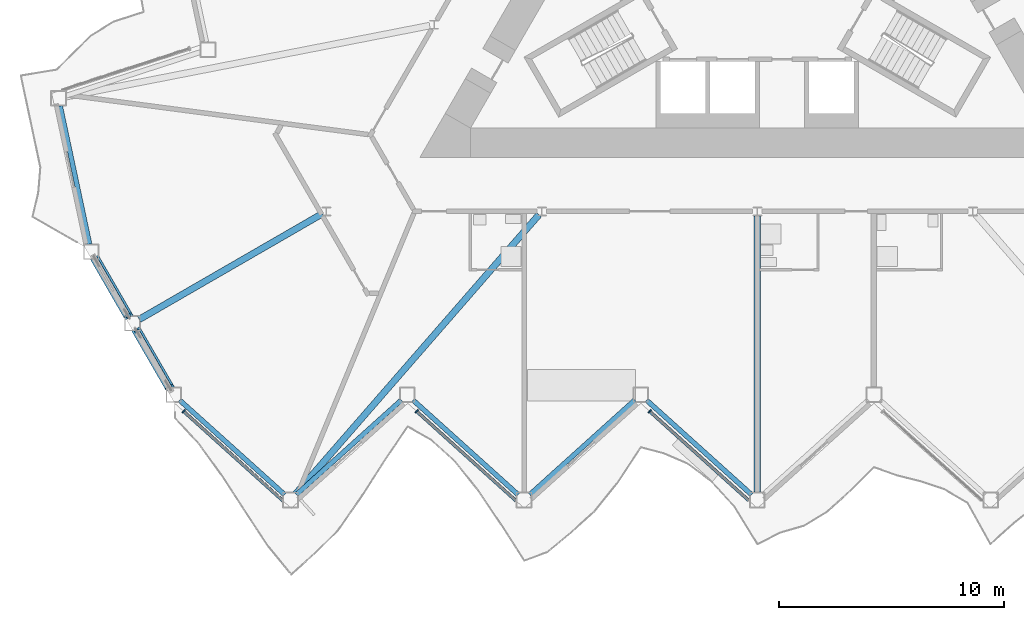
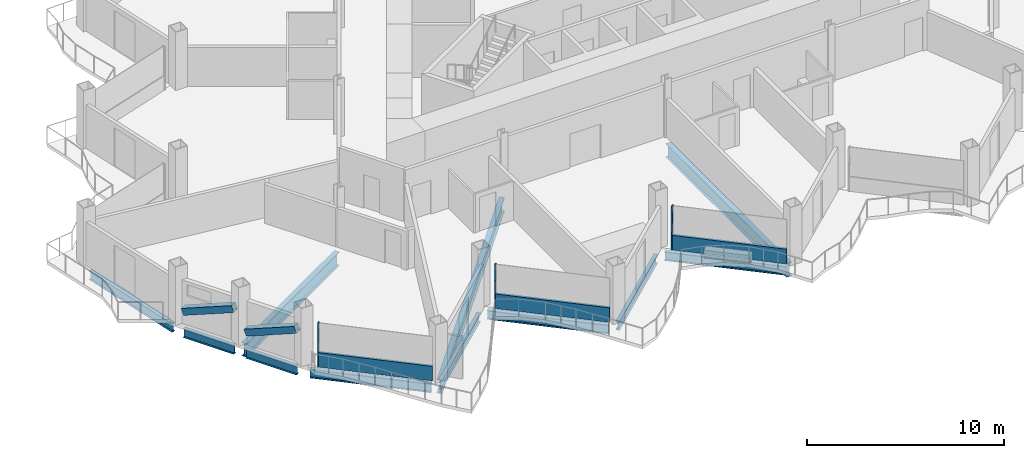
# One storey, part 4 of 23: 11 beams, 8 members, 3 elements without a shape of their own.
"""IFC4 building model written with IfcOpenShell, lengths in metres."""

from ifc_helpers import new_model, si_unit, direction, frame, origin, origin_2d, place, context, subcontext, project, spatial, rectangle, hollow_rectangle, i_section, extrude, material, layer, layer_set, material_profile, profile_set, type_object, element, aggregate, save


model = new_model("IFC4")

# Units and contexts
model_context = context("Model", 3, precision=1e-05, world=origin(), true_north=direction((0.0, 1.0)))
body_context = subcontext(model_context, "Body", "Model", "MODEL_VIEW")
ifc_project = project(units=[si_unit("LENGTHUNIT", "METRE"), si_unit("AREAUNIT", "SQUARE_METRE"), si_unit("VOLUMEUNIT", "CUBIC_METRE"), si_unit("PLANEANGLEUNIT", "RADIAN"), si_unit("MASSUNIT", "GRAM", prefix="KILO")], contexts=[model_context])

# Site, building, storey
site_placement = place(None, origin())
site = spatial("IfcSite", under=ifc_project, at=site_placement, CompositionType="ELEMENT")
building_placement = place(site_placement, origin())
building = spatial("IfcBuilding", under=site, at=building_placement, Name="Cormorant Prow Tower", CompositionType="ELEMENT")
storey_placement = place(building_placement, frame((0.0, 0.0, 256.199951171875)))
storey = spatial("IfcBuildingStorey", under=building, at=storey_placement, Name="L57", CompositionType="ELEMENT", Elevation=256.199951171875)

# Members
ifc_material_1 = material(Name="Structural steel ASTM A500 Gr C", Category="steel")
ifc_material_profile_1 = material_profile(ifc_material_1, hollow_rectangle(XDim=0.406494140625, YDim=0.406494140625, WallThickness=0.01171875, at=origin_2d()), Name="HSS16x16x1/2")
ifc_profile_set_1 = profile_set([ifc_material_profile_1], Name="Structural steel ASTM A500 Gr C")
member_type_1 = type_object("IfcMemberType", Name="Chamfer brace HSS16x16x1/2", PredefinedType="BRACE", material=ifc_profile_set_1)
for number, where, z_axis, x_axis, name in (
    (1, (-29.4287109375, -13.174560546875, 0.74951171875), (0.462773096913, -0.801606962687, 0.378506721399), (0.866041729639, 0.499971721724, 0.0), "Chamfer brace BR2 at WSW00 L57"),
    (2, (-27.593505859375, -16.353271484375, 0.74951171875), (0.462773096913, -0.801606962687, 0.378506721399), (0.866041729639, 0.499971721724, 0.0), "Chamfer brace BR2 at WSW01 L57"),
):
    element("IfcMember", number, at=place(storey_placement, frame(where, z_axis=z_axis, x_axis=x_axis)), inside=storey, type_object=member_type_1, Name=name, PredefinedType="BRACE", context=body_context, shape_type="SweptSolid", body=[
        extrude(hollow_rectangle(XDim=0.406494140625, YDim=0.406494140625, WallThickness=0.01171875, at=origin_2d()), origin(), (0.0, 0.0, 1.0), 3.17529296875),
    ])

# Curtain wall, member
ifc_material_2 = material(Name="Aluminium 6063-T6", Category="aluminium")
ifc_layer = layer(ifc_material_2, 0.179931640625)
ifc_layer_set = layer_set([ifc_layer], Name="Aluminium 6063-T6")
curtain_wall_type = type_object("IfcCurtainWallType", Name="Hotel unitised curtain wall 180", PredefinedType="NOTDEFINED", material=ifc_layer_set)
curtain_wall_1_placement = place(storey_placement, origin())
curtain_wall_1 = element("IfcCurtainWall", 3, at=curtain_wall_1_placement, inside=storey, type_object=curtain_wall_type, Name="Hotel curtain wall S00", PredefinedType="NOTDEFINED")
ifc_material_3 = material(Name="Aluminium 6063-T6", Category="aluminium")
ifc_material_profile_2 = material_profile(ifc_material_3, rectangle(XDim=0.179931640625, YDim=0.06005859375, at=origin_2d()), Name="Hotel mullion 60x180")
ifc_profile_set_2 = profile_set([ifc_material_profile_2], Name="Aluminium 6063-T6")
member_type_2 = type_object("IfcMemberType", Name="Hotel mullion 60x180", PredefinedType="MULLION", material=ifc_profile_set_2)
member_1_placement = place(storey_placement, frame((-25.5029296875, -19.94873046875, 0.0), z_axis=(0.0, 0.0, 1.0), x_axis=(0.669130602377, 0.743144829063, 0.0)))
member_1 = element("IfcMember", 4, at=member_1_placement, type_object=member_type_2, Name="Hotel mullion S00", PredefinedType="MULLION", context=body_context, shape_type="SweptSolid", body=[
    extrude(rectangle(XDim=0.179931640625, YDim=0.06005859375, at=origin_2d()), origin(), (0.0, 0.0, 1.0), 2.700927734375),
])

curtain_wall_2_placement = place(storey_placement, origin())
curtain_wall_2 = element("IfcCurtainWall", 5, at=curtain_wall_2_placement, inside=storey, type_object=curtain_wall_type, Name="Hotel curtain wall S02", PredefinedType="NOTDEFINED")
member_2_placement = place(storey_placement, frame((-15.143798828125, -19.94873046875, 0.0), z_axis=(0.0, 0.0, 1.0), x_axis=(0.669130602377, 0.743144829063, 0.0)))
member_2 = element("IfcMember", 6, at=member_2_placement, type_object=member_type_2, Name="Hotel mullion S02", PredefinedType="MULLION", context=body_context, shape_type="SweptSolid", body=[
    extrude(rectangle(XDim=0.179931640625, YDim=0.06005859375, at=origin_2d()), origin(), (0.0, 0.0, 1.0), 2.700927734375),
])

curtain_wall_3_placement = place(storey_placement, origin())
curtain_wall_3 = element("IfcCurtainWall", 7, at=curtain_wall_3_placement, inside=storey, type_object=curtain_wall_type, Name="Hotel curtain wall S04", PredefinedType="NOTDEFINED")
member_3_placement = place(storey_placement, frame((-4.784912109375, -19.94873046875, 0.0), z_axis=(0.0, 0.0, 1.0), x_axis=(0.669130602377, 0.743144829063, 0.0)))
member_3 = element("IfcMember", 8, at=member_3_placement, type_object=member_type_2, Name="Hotel mullion S04", PredefinedType="MULLION", context=body_context, shape_type="SweptSolid", body=[
    extrude(rectangle(XDim=0.179931640625, YDim=0.06005859375, at=origin_2d()), origin(), (0.0, 0.0, 1.0), 2.700927734375),
])

# Member
ifc_material_4 = material(Name="Terracotta", Category="masonry")
ifc_material_profile_3 = material_profile(ifc_material_4, rectangle(XDim=0.139892578125, YDim=0.89990234375, at=origin_2d()), Name="Hotel terracotta spandrel rail 140x900")
ifc_profile_set_3 = profile_set([ifc_material_profile_3], Name="Terracotta")
member_type_3 = type_object("IfcMemberType", Name="Hotel terracotta spandrel rail 140x900", PredefinedType="USERDEFINED", material=ifc_profile_set_3)
member_4_placement = place(storey_placement, frame((-25.480712890625, -19.968994140625, 0.449951171875), z_axis=(0.743164674775, -0.669108560823, 0.0), x_axis=(0.669108560823, 0.743164674775, 0.0)))
member_4 = element("IfcMember", 9, at=member_4_placement, type_object=member_type_3, Name="Hotel spandrel rail S00", ObjectType="TRANSOM", PredefinedType="USERDEFINED", context=body_context, shape_type="SweptSolid", body=[
    extrude(rectangle(XDim=0.139892578125, YDim=0.89990234375, at=origin_2d()), origin(), (0.0, 0.0, 1.0), 5.90771484375),
])

aggregate(curtain_wall_1, [member_1, member_4])

member_5_placement = place(storey_placement, frame((-15.12158203125, -19.968994140625, 0.449951171875), z_axis=(0.743146172033, -0.669129110854, 0.0), x_axis=(0.669129110854, 0.743146172033, 0.0)))
member_5 = element("IfcMember", 10, at=member_5_placement, type_object=member_type_3, Name="Hotel spandrel rail S02", ObjectType="TRANSOM", PredefinedType="USERDEFINED", context=body_context, shape_type="SweptSolid", body=[
    extrude(rectangle(XDim=0.139892578125, YDim=0.89990234375, at=origin_2d()), origin(), (0.0, 0.0, 1.0), 5.907470703125),
])

aggregate(curtain_wall_2, [member_2, member_5])

member_6_placement = place(storey_placement, frame((-4.7626953125, -19.968994140625, 0.449951171875), z_axis=(0.743164674775, -0.669108560823, 0.0), x_axis=(0.669108560823, 0.743164674775, 0.0)))
member_6 = element("IfcMember", 11, at=member_6_placement, type_object=member_type_3, Name="Hotel spandrel rail S04", ObjectType="TRANSOM", PredefinedType="USERDEFINED", context=body_context, shape_type="SweptSolid", body=[
    extrude(rectangle(XDim=0.139892578125, YDim=0.89990234375, at=origin_2d()), origin(), (0.0, 0.0, 1.0), 5.90771484375),
])

aggregate(curtain_wall_3, [member_3, member_6])

# Beams
ifc_material_5 = material(Name="Structural steel ASTM A992 Gr 50", Category="steel")
ifc_material_profile_4 = material_profile(ifc_material_5, i_section(OverallWidth=0.29296875, OverallDepth=0.845703125, WebThickness=0.015380859375, FlangeThickness=0.0244140625, at=origin_2d()), Name="W33x141")
ifc_profile_set_4 = profile_set([ifc_material_profile_4], Name="Structural steel ASTM A992 Gr 50")
beam_type_1 = type_object("IfcBeamType", Name="Radial floor beam W33x141", PredefinedType="BEAM", material=ifc_profile_set_4)
beam_1_placement = place(storey_placement, frame((-19.32958984375, -11.159912109375, -0.77294921875), z_axis=(-0.866021726843, -0.500006368596, 0.0), x_axis=(0.500006368596, -0.866021726843, 0.0)))
element("IfcBeam", 12, at=beam_1_placement, inside=storey, type_object=beam_type_1, Name="Radial floor beam FB2 5 L57", PredefinedType="BEAM", context=body_context, shape_type="SweptSolid", body=[
    extrude(i_section(OverallWidth=0.29296875, OverallDepth=0.845703125, WebThickness=0.015380859375, FlangeThickness=0.0244140625, at=origin_2d()), origin(), (0.0, 0.0, 1.0), 9.40380859375),
])
beam_2_placement = place(storey_placement, frame((-9.70947265625, -11.210693359375, -0.77294921875), z_axis=(-0.656874593387, -0.753999846527, 0.0), x_axis=(0.753999846527, -0.656874593387, 0.0)))
element("IfcBeam", 13, at=beam_2_placement, inside=storey, type_object=beam_type_1, Name="Radial floor beam FB2 6 L57", PredefinedType="BEAM", context=body_context, shape_type="SweptSolid", body=[
    extrude(i_section(OverallWidth=0.29296875, OverallDepth=0.845703125, WebThickness=0.015380859375, FlangeThickness=0.0244140625, at=origin_2d()), origin(), (0.0, 0.0, 1.0), 16.4619140625),
])
beam_3_placement = place(storey_placement, frame((0.0, -11.259765625, -0.77294921875), z_axis=(0.0, -1.0, 0.0), x_axis=(1.0, 0.0, 0.0)))
element("IfcBeam", 14, at=beam_3_placement, inside=storey, type_object=beam_type_1, Name="Radial floor beam FB2 7 L57", PredefinedType="BEAM", context=body_context, shape_type="SweptSolid", body=[
    extrude(i_section(OverallWidth=0.29296875, OverallDepth=0.845703125, WebThickness=0.015380859375, FlangeThickness=0.0244140625, at=origin_2d()), origin(), (0.0, 0.0, 1.0), 12.277099609375),
])
ifc_material_6 = material(Name="Structural steel ASTM A992 Gr 50", Category="steel")
ifc_material_profile_5 = material_profile(ifc_material_6, i_section(OverallWidth=0.2138671875, OverallDepth=0.549072265625, WebThickness=0.0146484375, FlangeThickness=0.023681640625, at=origin_2d()), Name="W21x93")
ifc_profile_set_5 = profile_set([ifc_material_profile_5], Name="Structural steel ASTM A992 Gr 50")
beam_type_2 = type_object("IfcBeamType", Name="Spandrel beam W21x93", PredefinedType="SPANDREL", material=ifc_profile_set_5)
for number, where, z_axis, x_axis, name in (
    (15, (-25.68115234375, -19.44970703125, -0.62451171875), (0.743156918576, -0.669117175368, 0.0), (0.669117175368, 0.743156918576, 0.0), "Spandrel beam SB2 S00-S01 L57"),
    (16, (-20.492919921875, -23.65283203125, -0.62451171875), (0.743156918576, 0.669117175368, 0.0), (-0.669117175368, 0.743156918576, 0.0), "Spandrel beam SB2 S01-S02 L57"),
    (17, (-15.3046875, -19.44970703125, -0.62451171875), (0.743156918576, -0.669117175368, 0.0), (0.669117175368, 0.743156918576, 0.0), "Spandrel beam SB2 S02-S03 L57"),
    (18, (-10.116455078125, -23.65283203125, -0.62451171875), (0.743156918576, 0.669117175368, 0.0), (-0.669117175368, 0.743156918576, 0.0), "Spandrel beam SB2 S03-S04 L57"),
    (19, (-4.92822265625, -19.44970703125, -0.62451171875), (0.743156918576, -0.669117175368, 0.0), (0.669117175368, 0.743156918576, 0.0), "Spandrel beam SB2 S04-S05 L57"),
):
    element("IfcBeam", number, at=place(storey_placement, frame(where, z_axis=z_axis, x_axis=x_axis)), inside=storey, type_object=beam_type_2, Name=name, PredefinedType="SPANDREL", context=body_context, shape_type="SweptSolid", body=[
        extrude(i_section(OverallWidth=0.2138671875, OverallDepth=0.549072265625, WebThickness=0.0146484375, FlangeThickness=0.023681640625, at=origin_2d()), origin(), (0.0, 0.0, 1.0), 6.281494140625),
    ])
beam_4_placement = place(storey_placement, frame((-30.990478515625, -6.37158203125, -0.62451171875), z_axis=(0.207941499013, -0.978141264331, 0.0), x_axis=(0.978141264331, 0.207941499013, 0.0)))
element("IfcBeam", 20, at=beam_4_placement, inside=storey, type_object=beam_type_2, Name="Spandrel beam SB2 WNW09-WSW00 L57", PredefinedType="SPANDREL", context=body_context, shape_type="SweptSolid", body=[
    extrude(i_section(OverallWidth=0.2138671875, OverallDepth=0.549072265625, WebThickness=0.0146484375, FlangeThickness=0.023681640625, at=origin_2d()), origin(), (0.0, 0.0, 1.0), 6.28125),
])
for number, where, z_axis, x_axis, name in (
    (21, (-29.4365234375, -13.1611328125, -0.62451171875), (0.499966725515, -0.866044613965, 0.0), (0.866044613965, 0.499966725515, 0.0), "Spandrel beam SB2 WSW00-WSW01 L57"),
    (22, (-27.601318359375, -16.33984375, -0.62451171875), (0.499966725515, -0.866044613965, 0.0), (0.866044613965, 0.499966725515, 0.0), "Spandrel beam SB2 WSW01-S00 L57"),
):
    element("IfcBeam", number, at=place(storey_placement, frame(where, z_axis=z_axis, x_axis=x_axis)), inside=storey, type_object=beam_type_2, Name=name, PredefinedType="SPANDREL", context=body_context, shape_type="SweptSolid", body=[
        extrude(i_section(OverallWidth=0.2138671875, OverallDepth=0.549072265625, WebThickness=0.0146484375, FlangeThickness=0.023681640625, at=origin_2d()), origin(), (0.0, 0.0, 1.0), 2.970458984375),
    ])

save(model, "model.ifc")
